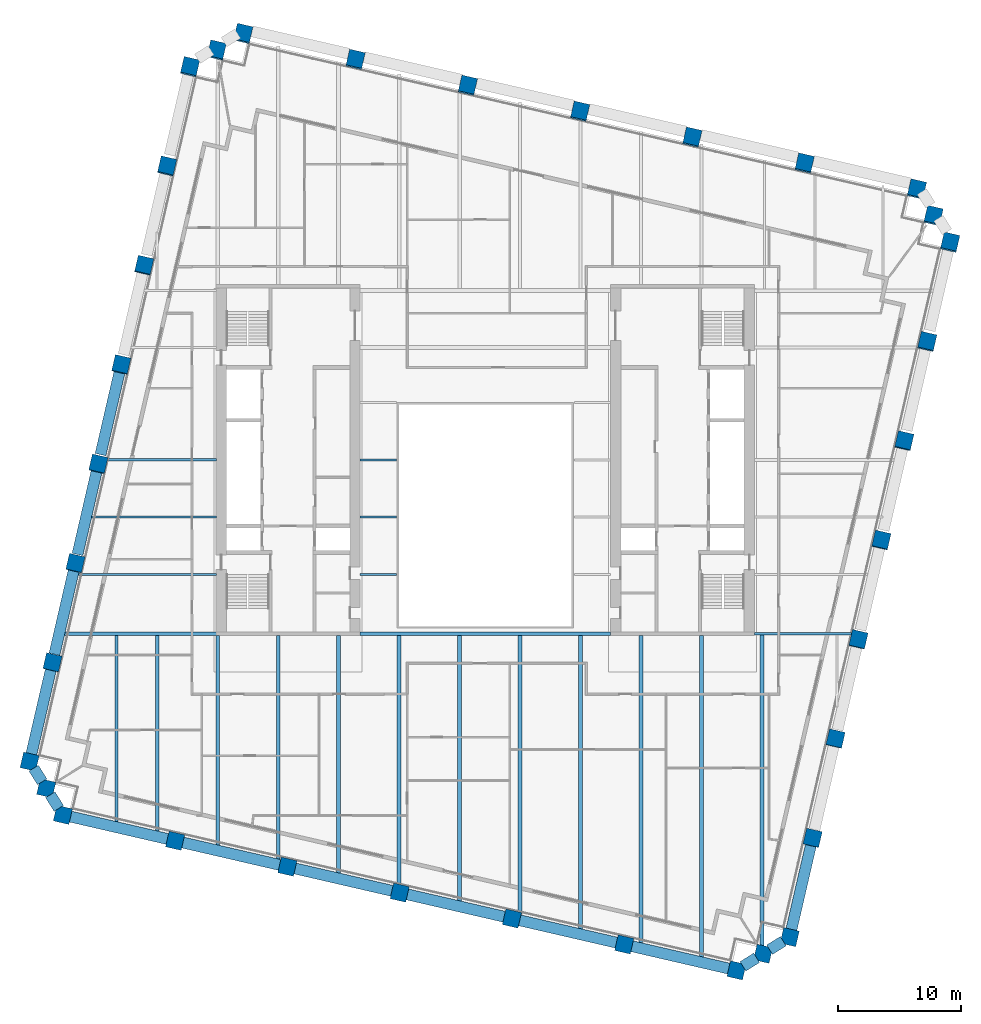
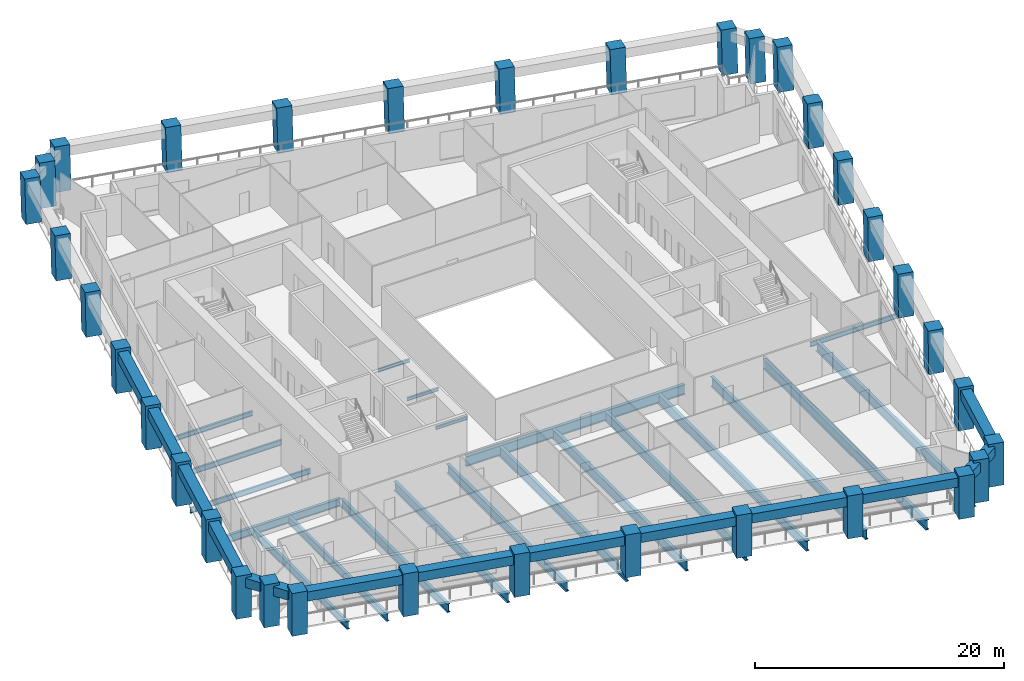
# One storey, part 1 of 11: 36 beams, 34 columns.
"""IFC4 building model written with IfcOpenShell, lengths in metres."""

from ifc_helpers import new_model, si_unit, direction, frame, origin, origin_2d, place, context, subcontext, project, spatial, rectangle, i_section, extrude, material, material_profile, profile_set, type_object, element, save


model = new_model("IFC4")

# Units and contexts
model_context = context("Model", 3, precision=1e-05, world=origin(), true_north=direction((0.0, 1.0)))
body_context = subcontext(model_context, "Body", "Model", "MODEL_VIEW")
ifc_project = project(units=[si_unit("LENGTHUNIT", "METRE"), si_unit("AREAUNIT", "SQUARE_METRE"), si_unit("VOLUMEUNIT", "CUBIC_METRE"), si_unit("PLANEANGLEUNIT", "RADIAN"), si_unit("MASSUNIT", "GRAM", prefix="KILO")], contexts=[model_context])

# Site, building, storey
site_placement = place(None, origin())
site = spatial("IfcSite", under=ifc_project, at=site_placement, CompositionType="ELEMENT")
building_placement = place(site_placement, origin())
building = spatial("IfcBuilding", under=site, at=building_placement, Name="Ogive Exchange Tower", CompositionType="ELEMENT")
storey_placement = place(building_placement, frame((0.0, 0.0, 135.0)))
storey = spatial("IfcBuildingStorey", under=building, at=storey_placement, Name="L29", CompositionType="ELEMENT", Elevation=135.0)

# Columns
ifc_material_1 = material(Name="Precast concrete C70/85 (limestone faced)", Category="masonry")
ifc_material_profile_1 = material_profile(ifc_material_1, rectangle(XDim=1.300048828125, YDim=1.300048828125, at=origin_2d()), Name="1300 x 1300")
ifc_profile_set_1 = profile_set([ifc_material_profile_1], Name="Precast concrete C70/85 (limestone faced)")
column_type = type_object("IfcColumnType", Name="Precast exoskeleton leg 1300 x 1300 C70/85", PredefinedType="COLUMN", material=ifc_profile_set_1)
for number, where, z_axis, x_axis, name in (
    (1, (-34.281982421875, -17.298095703125, 0.0), (0.0, 0.0, 1.0), (0.974370064785, -0.224951054344, 0.0), "Exoskeleton leg 1"),
    (2, (-25.171630859375, -19.401611328125, 0.0), (0.0, 0.0, 1.0), (0.974370064785, -0.224951054344, 0.0), "Exoskeleton leg 2"),
    (3, (-16.061279296875, -21.504638671875, 0.0), (0.0, 0.0, 1.0), (0.974370064785, -0.224951054344, 0.0), "Exoskeleton leg 3"),
    (4, (-6.950927734375, -23.60791015625, 0.0), (0.0, 0.0, 1.0), (0.974370064785, -0.224951054344, 0.0), "Exoskeleton leg 4"),
    (5, (2.159423828125, -25.711181640625, 0.0), (0.0, 0.0, 1.0), (0.974370064785, -0.224951054344, 0.0), "Exoskeleton leg 5"),
    (6, (11.269775390625, -27.814697265625, 0.0), (0.0, 0.0, 1.0), (0.974370064785, -0.224951054344, 0.0), "Exoskeleton leg 6"),
    (7, (20.380126953125, -29.91796875, 0.0), (0.0, 0.0, 1.0), (0.974370064785, -0.224951054344, 0.0), "Exoskeleton leg 7"),
    (8, (24.697509765625, -27.219970703125, 0.0), (0.0, 0.0, 1.0), (0.974370064785, -0.224951054344, 0.0), "Exoskeleton leg 8"),
):
    element("IfcColumn", number, at=place(storey_placement, frame(where, z_axis=z_axis, x_axis=x_axis)), inside=storey, type_object=column_type, Name=name, PredefinedType="COLUMN", context=body_context, shape_type="SweptSolid", body=[
        extrude(rectangle(XDim=1.300048828125, YDim=1.300048828125, at=origin_2d()), origin(), (0.0, 0.0, 1.0), 4.199951171875),
    ])
column_1_placement = place(storey_placement, frame((26.5556640625, -19.172119140625, 0.0), z_axis=(0.002964348167, 0.012671135303, 0.9999153239), x_axis=(-0.973709261374, 0.227794368487, 0.0)))
element("IfcColumn", 9, at=column_1_placement, inside=storey, type_object=column_type, Name="Exoskeleton leg 9", PredefinedType="COLUMN", context=body_context, shape_type="SweptSolid", body=[
    extrude(rectangle(XDim=1.300048828125, YDim=1.300048828125, at=origin_2d()), origin(), (0.0, 0.0, 1.0), 4.2001953125),
])
column_2_placement = place(storey_placement, frame((28.413818359375, -11.123779296875, 0.0), z_axis=(0.005810983994, 0.025277780376, 0.999663576552), x_axis=(-0.974579651079, 0.224041299099, 0.0)))
element("IfcColumn", 10, at=column_2_placement, inside=storey, type_object=column_type, Name="Exoskeleton leg 10", PredefinedType="COLUMN", context=body_context, shape_type="SweptSolid", body=[
    extrude(rectangle(XDim=1.300048828125, YDim=1.300048828125, at=origin_2d()), origin(), (0.0, 0.0, 1.0), 4.201416015625),
])
column_3_placement = place(storey_placement, frame((30.271728515625, -3.075927734375, 0.0), z_axis=(0.008770884695, 0.037929719907, 0.99924191662), x_axis=(-0.974290512438, 0.225295355862, 0.0)))
element("IfcColumn", 11, at=column_3_placement, inside=storey, type_object=column_type, Name="Exoskeleton leg 11", PredefinedType="COLUMN", context=body_context, shape_type="SweptSolid", body=[
    extrude(rectangle(XDim=1.300048828125, YDim=1.300048828125, at=origin_2d()), origin(), (0.0, 0.0, 1.0), 4.203125),
])
column_4_placement = place(storey_placement, frame((32.1298828125, 4.97216796875, 0.0), z_axis=(0.011668267153, 0.050562490995, 0.998652735462), x_axis=(-0.974391195695, 0.224859506699, 0.0)))
element("IfcColumn", 12, at=column_4_placement, inside=storey, type_object=column_type, Name="Exoskeleton leg 12", PredefinedType="COLUMN", context=body_context, shape_type="SweptSolid", body=[
    extrude(rectangle(XDim=1.300048828125, YDim=1.300048828125, at=origin_2d()), origin(), (0.0, 0.0, 1.0), 4.20556640625),
])
column_5_placement = place(storey_placement, frame((33.98779296875, 13.020263671875, 0.0), z_axis=(0.014617836866, 0.063111930596, 0.997899395261), x_axis=(-0.974209784844, 0.225644178107, 0.0)))
element("IfcColumn", 13, at=column_5_placement, inside=storey, type_object=column_type, Name="Exoskeleton leg 13", PredefinedType="COLUMN", context=body_context, shape_type="SweptSolid", body=[
    extrude(rectangle(XDim=1.300048828125, YDim=1.300048828125, at=origin_2d()), origin(), (0.0, 0.0, 1.0), 4.208740234375),
])
column_6_placement = place(storey_placement, frame((35.845947265625, 21.068359375, 0.0), z_axis=(0.017444089556, 0.075687644385, 0.996978978829), x_axis=(-0.974454034257, 0.224587032398, 0.0)))
element("IfcColumn", 14, at=column_6_placement, inside=storey, type_object=column_type, Name="Exoskeleton leg 14", PredefinedType="COLUMN", context=body_context, shape_type="SweptSolid", body=[
    extrude(rectangle(XDim=1.300048828125, YDim=1.300048828125, at=origin_2d()), origin(), (0.0, 0.0, 1.0), 4.212646484375),
])
for number, where, z_axis, x_axis, name in (
    (15, (37.703857421875, 29.1162109375, 0.0), (0.020377493232, 0.0882252832, 0.995892091129), (-0.97434807649, 0.225046274885, 0.0), "Exoskeleton leg 15"),
    (16, (35.006103515625, 33.433837890625, 0.0), (0.020319626563, 0.088225387128, 0.995893264282), (-0.974488096918, 0.224439187676, 0.0), "Exoskeleton leg 16"),
    (17, (25.8955078125, 35.537109375, 0.0), (0.020377493232, 0.0882252832, 0.995892091129), (-0.97434807649, 0.225046274885, 0.0), "Exoskeleton leg 17"),
    (18, (16.785400390625, 37.640380859375, 0.0), (0.020319626563, 0.088225387128, 0.995893264282), (-0.974488096918, 0.224439187676, 0.0), "Exoskeleton leg 18"),
    (19, (7.6748046875, 39.74365234375, 0.0), (0.020377493232, 0.0882252832, 0.995892091129), (-0.97434807649, 0.225046274885, 0.0), "Exoskeleton leg 19"),
    (20, (-1.435302734375, 41.846923828125, 0.0), (0.020319626563, 0.088225387128, 0.995893264282), (-0.974488096918, 0.224439187676, 0.0), "Exoskeleton leg 20"),
    (21, (-10.5458984375, 43.9501953125, 0.0), (0.020377389123, 0.088282722762, 0.995887003065), (-0.97438042596, 0.224906170451, 0.0), "Exoskeleton leg 21"),
    (22, (-19.65625, 46.0537109375, 0.0), (0.020377597275, 0.088167842757, 0.995897175934), (-0.97431566651, 0.225186549318, 0.0), "Exoskeleton leg 22"),
    (23, (-23.9736328125, 43.355712890625, 0.0), (0.020377493232, 0.0882252832, 0.995892091129), (-0.97434807649, 0.225046274885, 0.0), "Exoskeleton leg 23"),
):
    element("IfcColumn", number, at=place(storey_placement, frame(where, z_axis=z_axis, x_axis=x_axis)), inside=storey, type_object=column_type, Name=name, PredefinedType="COLUMN", context=body_context, shape_type="SweptSolid", body=[
        extrude(rectangle(XDim=1.300048828125, YDim=1.300048828125, at=origin_2d()), origin(), (0.0, 0.0, 1.0), 4.21728515625),
    ])
column_7_placement = place(storey_placement, frame((-25.831787109375, 35.3076171875, 0.0), z_axis=(0.017502025619, 0.075687567741, 0.996977969259), x_axis=(-0.974290512438, 0.225295355862, 0.0)))
element("IfcColumn", 24, at=column_7_placement, inside=storey, type_object=column_type, Name="Exoskeleton leg 24", PredefinedType="COLUMN", context=body_context, shape_type="SweptSolid", body=[
    extrude(rectangle(XDim=1.300048828125, YDim=1.300048828125, at=origin_2d()), origin(), (0.0, 0.0, 1.0), 4.212646484375),
])
column_8_placement = place(storey_placement, frame((-27.689697265625, 27.259521484375, 0.0), z_axis=(0.014559788571, 0.063169759976, 0.997896584813), x_axis=(-0.97445148511, 0.224598092528, 0.0)))
element("IfcColumn", 25, at=column_8_placement, inside=storey, type_object=column_type, Name="Exoskeleton leg 25", PredefinedType="COLUMN", context=body_context, shape_type="SweptSolid", body=[
    extrude(rectangle(XDim=1.300048828125, YDim=1.300048828125, at=origin_2d()), origin(), (0.0, 0.0, 1.0), 4.208740234375),
])
column_9_placement = place(storey_placement, frame((-29.5478515625, 19.211669921875, 0.0), z_axis=(0.011668267153, 0.050562490995, 0.998652735462), x_axis=(-0.974391195695, 0.224859506699, 0.0)))
element("IfcColumn", 26, at=column_9_placement, inside=storey, type_object=column_type, Name="Exoskeleton leg 26", PredefinedType="COLUMN", context=body_context, shape_type="SweptSolid", body=[
    extrude(rectangle(XDim=1.300048828125, YDim=1.300048828125, at=origin_2d()), origin(), (0.0, 0.0, 1.0), 4.20556640625),
])
column_10_placement = place(storey_placement, frame((-31.406005859375, 11.16357421875, 0.0), z_axis=(0.008770884695, 0.037929719907, 0.99924191662), x_axis=(-0.974290512438, 0.225295355862, 0.0)))
element("IfcColumn", 27, at=column_10_placement, inside=storey, type_object=column_type, Name="Exoskeleton leg 27", PredefinedType="COLUMN", context=body_context, shape_type="SweptSolid", body=[
    extrude(rectangle(XDim=1.300048828125, YDim=1.300048828125, at=origin_2d()), origin(), (0.0, 0.0, 1.0), 4.203125),
])
column_11_placement = place(storey_placement, frame((-33.263916015625, 3.115478515625, 0.0), z_axis=(0.005810983994, 0.025277780376, 0.999663576552), x_axis=(-0.974579651079, 0.224041299099, 0.0)))
element("IfcColumn", 28, at=column_11_placement, inside=storey, type_object=column_type, Name="Exoskeleton leg 28", PredefinedType="COLUMN", context=body_context, shape_type="SweptSolid", body=[
    extrude(rectangle(XDim=1.300048828125, YDim=1.300048828125, at=origin_2d()), origin(), (0.0, 0.0, 1.0), 4.201416015625),
])
column_12_placement = place(storey_placement, frame((-35.121826171875, -4.9326171875, 0.0), z_axis=(0.002906224189, 0.012671137464, 0.999915494498), x_axis=(-0.974691740237, 0.22355315143, 0.0)))
element("IfcColumn", 29, at=column_12_placement, inside=storey, type_object=column_type, Name="Exoskeleton leg 29", PredefinedType="COLUMN", context=body_context, shape_type="SweptSolid", body=[
    extrude(rectangle(XDim=1.300048828125, YDim=1.300048828125, at=origin_2d()), origin(), (0.0, 0.0, 1.0), 4.2001953125),
])
for number, where, z_axis, x_axis, name in (
    (30, (-36.97998046875, -12.980712890625, 0.0), (0.0, 0.0, 1.0), (0.974370064785, -0.224951054344, 0.0), "Exoskeleton leg 30"),
    (31, (22.538818359375, -28.569091796875, 0.0), (0.0, 0.0, 1.0), (0.974370064785, -0.224951054344, 0.0), "Exoskeleton leg 31"),
):
    element("IfcColumn", number, at=place(storey_placement, frame(where, z_axis=z_axis, x_axis=x_axis)), inside=storey, type_object=column_type, Name=name, PredefinedType="COLUMN", context=body_context, shape_type="SweptSolid", body=[
        extrude(rectangle(XDim=1.300048828125, YDim=1.300048828125, at=origin_2d()), origin(), (0.0, 0.0, 1.0), 4.199951171875),
    ])
for number, where, z_axis, x_axis, name in (
    (32, (36.35498046875, 31.275146484375, 0.0), (0.020377493232, 0.0882252832, 0.995892091129), (-0.97434807649, 0.225046274885, 0.0), "Exoskeleton leg 32"),
    (33, (-21.81494140625, 44.70458984375, 0.0), (0.020377493232, 0.0882252832, 0.995892091129), (-0.97434807649, 0.225046274885, 0.0), "Exoskeleton leg 33"),
):
    element("IfcColumn", number, at=place(storey_placement, frame(where, z_axis=z_axis, x_axis=x_axis)), inside=storey, type_object=column_type, Name=name, PredefinedType="COLUMN", context=body_context, shape_type="SweptSolid", body=[
        extrude(rectangle(XDim=1.300048828125, YDim=1.300048828125, at=origin_2d()), origin(), (0.0, 0.0, 1.0), 4.21728515625),
    ])
column_13_placement = place(storey_placement, frame((-35.631103515625, -15.139404296875, 0.0), z_axis=(0.0, 0.0, 1.0), x_axis=(0.974370064785, -0.224951054344, 0.0)))
element("IfcColumn", 34, at=column_13_placement, inside=storey, type_object=column_type, Name="Exoskeleton leg 34", PredefinedType="COLUMN", context=body_context, shape_type="SweptSolid", body=[
    extrude(rectangle(XDim=1.300048828125, YDim=1.300048828125, at=origin_2d()), origin(), (0.0, 0.0, 1.0), 4.199951171875),
])

# Beams
ifc_material_2 = material(Name="Steel ASTM A992 Gr50", Category="steel")
ifc_material_profile_2 = material_profile(ifc_material_2, i_section(OverallWidth=0.300048828125, OverallDepth=0.97998046875, WebThickness=0.0166015625, FlangeThickness=0.026123046875, at=origin_2d()), Name="W1000x249")
ifc_profile_set_2 = profile_set([ifc_material_profile_2], Name="Steel ASTM A992 Gr50")
beam_type_1 = type_object("IfcBeamType", Name="Floor beam W1000x249", PredefinedType="JOIST", material=ifc_profile_set_2)
beam_1_placement = place(storey_placement, frame((-6.99853515625, -23.13525390625, -0.68994140625), z_axis=(0.0, 1.0, 0.0), x_axis=(-1.0, 0.0, 0.0)))
element("IfcBeam", 35, at=beam_1_placement, inside=storey, type_object=beam_type_1, Name="Floor beam", PredefinedType="JOIST", context=body_context, shape_type="SweptSolid", body=[
    extrude(i_section(OverallWidth=0.300048828125, OverallDepth=0.97998046875, WebThickness=0.0166015625, FlangeThickness=0.026123046875, at=origin_2d()), origin(), (0.0, 0.0, 1.0), 20.39013671875),
])
beam_2_placement = place(storey_placement, frame((-2.091552734375, -24.26806640625, -0.68994140625), z_axis=(0.0, 1.0, 0.0), x_axis=(-1.0, 0.0, 0.0)))
element("IfcBeam", 36, at=beam_2_placement, inside=storey, type_object=beam_type_1, Name="Floor beam", PredefinedType="JOIST", context=body_context, shape_type="SweptSolid", body=[
    extrude(i_section(OverallWidth=0.300048828125, OverallDepth=0.97998046875, WebThickness=0.0166015625, FlangeThickness=0.026123046875, at=origin_2d()), origin(), (0.0, 0.0, 1.0), 21.52294921875),
])
beam_3_placement = place(storey_placement, frame((2.8154296875, -25.40087890625, -0.68994140625), z_axis=(0.0, 1.0, 0.0), x_axis=(-1.0, 0.0, 0.0)))
element("IfcBeam", 37, at=beam_3_placement, inside=storey, type_object=beam_type_1, Name="Floor beam", PredefinedType="JOIST", context=body_context, shape_type="SweptSolid", body=[
    extrude(i_section(OverallWidth=0.300048828125, OverallDepth=0.97998046875, WebThickness=0.0166015625, FlangeThickness=0.026123046875, at=origin_2d()), origin(), (0.0, 0.0, 1.0), 22.65576171875),
])
beam_4_placement = place(storey_placement, frame((7.722412109375, -26.683837890625, -0.68994140625), z_axis=(0.0, 1.0, 0.0), x_axis=(-1.0, 0.0, 0.0)))
element("IfcBeam", 38, at=beam_4_placement, inside=storey, type_object=beam_type_1, Name="Floor beam", PredefinedType="JOIST", context=body_context, shape_type="SweptSolid", body=[
    extrude(i_section(OverallWidth=0.300048828125, OverallDepth=0.97998046875, WebThickness=0.0166015625, FlangeThickness=0.026123046875, at=origin_2d()), origin(), (0.0, 0.0, 1.0), 23.938720703125),
])
beam_5_placement = place(storey_placement, frame((12.62939453125, -27.666748046875, -0.68994140625), z_axis=(0.0, 1.0, 0.0), x_axis=(-1.0, 0.0, 0.0)))
element("IfcBeam", 39, at=beam_5_placement, inside=storey, type_object=beam_type_1, Name="Floor beam", PredefinedType="JOIST", context=body_context, shape_type="SweptSolid", body=[
    extrude(i_section(OverallWidth=0.300048828125, OverallDepth=0.97998046875, WebThickness=0.0166015625, FlangeThickness=0.026123046875, at=origin_2d()), origin(), (0.0, 0.0, 1.0), 24.916748046875),
])
beam_6_placement = place(storey_placement, frame((17.536376953125, -28.949462890625, -0.68994140625), z_axis=(0.0, 1.0, 0.0), x_axis=(-1.0, 0.0, 0.0)))
element("IfcBeam", 40, at=beam_6_placement, inside=storey, type_object=beam_type_1, Name="Floor beam", PredefinedType="JOIST", context=body_context, shape_type="SweptSolid", body=[
    extrude(i_section(OverallWidth=0.300048828125, OverallDepth=0.97998046875, WebThickness=0.0166015625, FlangeThickness=0.026123046875, at=origin_2d()), origin(), (0.0, 0.0, 1.0), 26.199462890625),
])
beam_7_placement = place(storey_placement, frame((22.443359375, -28.02978515625, -0.68994140625), z_axis=(0.0, 1.0, 0.0), x_axis=(-1.0, 0.0, 0.0)))
element("IfcBeam", 41, at=beam_7_placement, inside=storey, type_object=beam_type_1, Name="Floor beam", PredefinedType="JOIST", context=body_context, shape_type="SweptSolid", body=[
    extrude(i_section(OverallWidth=0.300048828125, OverallDepth=0.97998046875, WebThickness=0.0166015625, FlangeThickness=0.026123046875, at=origin_2d()), origin(), (0.0, 0.0, 1.0), 25.33935546875),
])
ifc_material_profile_3 = material_profile(ifc_material_2, i_section(OverallWidth=0.1650390625, OverallDepth=0.31005859375, WebThickness=0.005859375, FlangeThickness=0.009765625, at=origin_2d()), Name="W310x38.7")
ifc_profile_set_3 = profile_set([ifc_material_profile_3], Name="Steel ASTM A992 Gr50")
beam_type_2 = type_object("IfcBeamType", Name="Floor beam W310x38.7", PredefinedType="JOIST", material=ifc_profile_set_3)
for number, where, z_axis, x_axis, name in (
    (42, (-10.169921875, 2.208740234375, -0.35498046875), (1.0, 0.0, 0.0), (0.0, 1.0, 0.0), "Floor beam"),
    (43, (-10.169921875, 6.857421875, -0.35498046875), (1.0, 0.0, 0.0), (0.0, 1.0, 0.0), "Floor beam"),
    (44, (-10.169921875, 11.50634765625, -0.35498046875), (1.0, 0.0, 0.0), (0.0, 1.0, 0.0), "Floor beam"),
):
    element("IfcBeam", number, at=place(storey_placement, frame(where, z_axis=z_axis, x_axis=x_axis)), inside=storey, type_object=beam_type_2, Name=name, PredefinedType="JOIST", context=body_context, shape_type="SweptSolid", body=[
        extrude(i_section(OverallWidth=0.1650390625, OverallDepth=0.31005859375, WebThickness=0.005859375, FlangeThickness=0.009765625, at=origin_2d()), origin(), (0.0, 0.0, 1.0), 2.949951171875),
    ])
ifc_material_profile_4 = material_profile(ifc_material_2, i_section(OverallWidth=0.19091796875, OverallDepth=0.45703125, WebThickness=0.009033203125, FlangeThickness=0.014404296875, at=origin_2d()), Name="W460x74")
ifc_profile_set_4 = profile_set([ifc_material_profile_4], Name="Steel ASTM A992 Gr50")
beam_type_3 = type_object("IfcBeamType", Name="Floor beam W460x74", PredefinedType="JOIST", material=ifc_profile_set_4)
beam_8_placement = place(storey_placement, frame((-30.864990234375, 11.50634765625, -0.428466796875), z_axis=(1.0, 0.0, 0.0), x_axis=(0.0, 1.0, 0.0)))
element("IfcBeam", 45, at=beam_8_placement, inside=storey, type_object=beam_type_3, Name="Floor beam", PredefinedType="JOIST", context=body_context, shape_type="SweptSolid", body=[
    extrude(i_section(OverallWidth=0.19091796875, OverallDepth=0.45703125, WebThickness=0.009033203125, FlangeThickness=0.014404296875, at=origin_2d()), origin(), (0.0, 0.0, 1.0), 9.034912109375),
])
ifc_material_profile_5 = material_profile(ifc_material_2, i_section(OverallWidth=0.1669921875, OverallDepth=0.535888671875, WebThickness=0.01025390625, FlangeThickness=0.0166015625, at=origin_2d()), Name="W530x85")
ifc_profile_set_5 = profile_set([ifc_material_profile_5], Name="Steel ASTM A992 Gr50")
beam_type_4 = type_object("IfcBeamType", Name="Floor beam W530x85", PredefinedType="JOIST", material=ifc_profile_set_5)
beam_9_placement = place(storey_placement, frame((-33.011474609375, 2.208740234375, -0.468017578125), z_axis=(1.0, 0.0, 0.0), x_axis=(0.0, 1.0, 0.0)))
element("IfcBeam", 46, at=beam_9_placement, inside=storey, type_object=beam_type_4, Name="Floor beam", PredefinedType="JOIST", context=body_context, shape_type="SweptSolid", body=[
    extrude(i_section(OverallWidth=0.1669921875, OverallDepth=0.535888671875, WebThickness=0.01025390625, FlangeThickness=0.0166015625, at=origin_2d()), origin(), (0.0, 0.0, 1.0), 11.181396484375),
])
beam_10_placement = place(storey_placement, frame((-31.938232421875, 6.857421875, -0.468017578125), z_axis=(1.0, 0.0, 0.0), x_axis=(0.0, 1.0, 0.0)))
element("IfcBeam", 47, at=beam_10_placement, inside=storey, type_object=beam_type_4, Name="Floor beam", PredefinedType="JOIST", context=body_context, shape_type="SweptSolid", body=[
    extrude(i_section(OverallWidth=0.1669921875, OverallDepth=0.535888671875, WebThickness=0.01025390625, FlangeThickness=0.0166015625, at=origin_2d()), origin(), (0.0, 0.0, 1.0), 10.108154296875),
])
ifc_material_profile_6 = material_profile(ifc_material_2, i_section(OverallWidth=0.26708984375, OverallDepth=0.75390625, WebThickness=0.01318359375, FlangeThickness=0.01708984375, at=origin_2d()), Name="W760x147")
ifc_profile_set_6 = profile_set([ifc_material_profile_6], Name="Steel ASTM A992 Gr50")
beam_type_5 = type_object("IfcBeamType", Name="Floor beam W760x147", PredefinedType="JOIST", material=ifc_profile_set_6)
beam_11_placement = place(storey_placement, frame((-29.933349609375, -17.990234375, -0.576904296875), z_axis=(0.0, 1.0, 0.0), x_axis=(-1.0, 0.0, 0.0)))
element("IfcBeam", 48, at=beam_11_placement, inside=storey, type_object=beam_type_5, Name="Floor beam", PredefinedType="JOIST", context=body_context, shape_type="SweptSolid", body=[
    extrude(i_section(OverallWidth=0.26708984375, OverallDepth=0.75390625, WebThickness=0.01318359375, FlangeThickness=0.01708984375, at=origin_2d()), origin(), (0.0, 0.0, 1.0), 15.26171875),
])
ifc_material_profile_7 = material_profile(ifc_material_2, i_section(OverallWidth=0.26708984375, OverallDepth=0.761962890625, WebThickness=0.014404296875, FlangeThickness=0.021484375, at=origin_2d()), Name="W760x173")
ifc_profile_set_7 = profile_set([ifc_material_profile_7], Name="Steel ASTM A992 Gr50")
beam_type_6 = type_object("IfcBeamType", Name="Floor beam W760x173", PredefinedType="JOIST", material=ifc_profile_set_7)
beam_12_placement = place(storey_placement, frame((-26.626220703125, -18.603759765625, -0.5810546875), z_axis=(0.0, 1.0, 0.0), x_axis=(-1.0, 0.0, 0.0)))
element("IfcBeam", 49, at=beam_12_placement, inside=storey, type_object=beam_type_6, Name="Floor beam", PredefinedType="JOIST", context=body_context, shape_type="SweptSolid", body=[
    extrude(i_section(OverallWidth=0.26708984375, OverallDepth=0.761962890625, WebThickness=0.014404296875, FlangeThickness=0.021484375, at=origin_2d()), origin(), (0.0, 0.0, 1.0), 15.875244140625),
])
ifc_material_profile_8 = material_profile(ifc_material_2, i_section(OverallWidth=0.2919921875, OverallDepth=0.8359375, WebThickness=0.013916015625, FlangeThickness=0.018798828125, at=origin_2d()), Name="W840x176")
ifc_profile_set_8 = profile_set([ifc_material_profile_8], Name="Steel ASTM A992 Gr50")
beam_type_7 = type_object("IfcBeamType", Name="Floor beam W840x176", PredefinedType="JOIST", material=ifc_profile_set_8)
beam_13_placement = place(storey_placement, frame((-21.719482421875, -19.88671875, -0.617919921875), z_axis=(0.0, 1.0, 0.0), x_axis=(-1.0, 0.0, 0.0)))
element("IfcBeam", 50, at=beam_13_placement, inside=storey, type_object=beam_type_7, Name="Floor beam", PredefinedType="JOIST", context=body_context, shape_type="SweptSolid", body=[
    extrude(i_section(OverallWidth=0.2919921875, OverallDepth=0.8359375, WebThickness=0.013916015625, FlangeThickness=0.018798828125, at=origin_2d()), origin(), (0.0, 0.0, 1.0), 17.13671875),
])
ifc_material_profile_9 = material_profile(ifc_material_2, i_section(OverallWidth=0.304931640625, OverallDepth=0.904052734375, WebThickness=0.01513671875, FlangeThickness=0.02001953125, at=origin_2d()), Name="W920x201")
ifc_profile_set_9 = profile_set([ifc_material_profile_9], Name="Steel ASTM A992 Gr50")
beam_type_8 = type_object("IfcBeamType", Name="Floor beam W920x201", PredefinedType="JOIST", material=ifc_profile_set_9)
beam_14_placement = place(storey_placement, frame((-16.8125, -21.01953125, -0.652099609375), z_axis=(0.0, 1.0, 0.0), x_axis=(-1.0, 0.0, 0.0)))
element("IfcBeam", 51, at=beam_14_placement, inside=storey, type_object=beam_type_8, Name="Floor beam", PredefinedType="JOIST", context=body_context, shape_type="SweptSolid", body=[
    extrude(i_section(OverallWidth=0.304931640625, OverallDepth=0.904052734375, WebThickness=0.01513671875, FlangeThickness=0.02001953125, at=origin_2d()), origin(), (0.0, 0.0, 1.0), 18.26953125),
])
ifc_material_profile_10 = material_profile(ifc_material_2, i_section(OverallWidth=0.304931640625, OverallDepth=0.9189453125, WebThickness=0.017333984375, FlangeThickness=0.02783203125, at=origin_2d()), Name="W920x253")
ifc_profile_set_10 = profile_set([ifc_material_profile_10], Name="Steel ASTM A992 Gr50")
beam_type_9 = type_object("IfcBeamType", Name="Floor beam W920x253", PredefinedType="JOIST", material=ifc_profile_set_10)
beam_15_placement = place(storey_placement, frame((-11.905517578125, -22.00244140625, -0.659423828125), z_axis=(0.0, 1.0, 0.0), x_axis=(-1.0, 0.0, 0.0)))
element("IfcBeam", 52, at=beam_15_placement, inside=storey, type_object=beam_type_9, Name="Floor beam", PredefinedType="JOIST", context=body_context, shape_type="SweptSolid", body=[
    extrude(i_section(OverallWidth=0.304931640625, OverallDepth=0.9189453125, WebThickness=0.017333984375, FlangeThickness=0.02783203125, at=origin_2d()), origin(), (0.0, 0.0, 1.0), 19.25244140625),
])
ifc_material_profile_11 = material_profile(ifc_material_2, i_section(OverallWidth=0.300048828125, OverallDepth=0.97998046875, WebThickness=0.0166015625, FlangeThickness=0.026123046875, at=origin_2d()), Name="W1000x249")
ifc_profile_set_11 = profile_set([ifc_material_profile_11], Name="Steel ASTM A992 Gr50")
beam_type_10 = type_object("IfcBeamType", Name="Girder W1000x249", PredefinedType="BEAM", material=ifc_profile_set_11)
beam_16_placement = place(storey_placement, frame((-10.169921875, -2.594970703125, -0.68994140625), z_axis=(1.0, 0.0, 0.0), x_axis=(0.0, 1.0, 0.0)))
element("IfcBeam", 53, at=beam_16_placement, inside=storey, type_object=beam_type_10, Name="Header girder", PredefinedType="BEAM", context=body_context, shape_type="SweptSolid", body=[
    extrude(i_section(OverallWidth=0.300048828125, OverallDepth=0.97998046875, WebThickness=0.0166015625, FlangeThickness=0.026123046875, at=origin_2d()), origin(), (0.0, 0.0, 1.0), 20.33984375),
])
ifc_material_profile_12 = material_profile(ifc_material_2, i_section(OverallWidth=0.19091796875, OverallDepth=0.45703125, WebThickness=0.009033203125, FlangeThickness=0.014404296875, at=origin_2d()), Name="W460x74")
ifc_profile_set_12 = profile_set([ifc_material_profile_12], Name="Steel ASTM A992 Gr50")
beam_type_11 = type_object("IfcBeamType", Name="Girder W460x74", PredefinedType="BEAM", material=ifc_profile_set_12)
beam_17_placement = place(storey_placement, frame((21.830078125, -2.594970703125, -0.428466796875), z_axis=(1.0, 0.0, 0.0), x_axis=(0.0, 1.0, 0.0)))
element("IfcBeam", 54, at=beam_17_placement, inside=storey, type_object=beam_type_11, Name="Header girder", PredefinedType="BEAM", context=body_context, shape_type="SweptSolid", body=[
    extrude(i_section(OverallWidth=0.19091796875, OverallDepth=0.45703125, WebThickness=0.009033203125, FlangeThickness=0.014404296875, at=origin_2d()), origin(), (0.0, 0.0, 1.0), 8.0908203125),
])
ifc_material_profile_13 = material_profile(ifc_material_2, i_section(OverallWidth=0.26708984375, OverallDepth=0.75390625, WebThickness=0.01318359375, FlangeThickness=0.01708984375, at=origin_2d()), Name="W760x147")
ifc_profile_set_13 = profile_set([ifc_material_profile_13], Name="Steel ASTM A992 Gr50")
beam_type_12 = type_object("IfcBeamType", Name="Girder W760x147", PredefinedType="BEAM", material=ifc_profile_set_13)
beam_18_placement = place(storey_placement, frame((-34.2705078125, -2.594970703125, -0.576904296875), z_axis=(1.0, 0.0, 0.0), x_axis=(0.0, 1.0, 0.0)))
element("IfcBeam", 55, at=beam_18_placement, inside=storey, type_object=beam_type_12, Name="Header girder", PredefinedType="BEAM", context=body_context, shape_type="SweptSolid", body=[
    extrude(i_section(OverallWidth=0.26708984375, OverallDepth=0.75390625, WebThickness=0.01318359375, FlangeThickness=0.01708984375, at=origin_2d()), origin(), (0.0, 0.0, 1.0), 12.4404296875),
])
ifc_material_profile_14 = material_profile(ifc_material_1, rectangle(XDim=0.89990234375, YDim=0.89990234375, at=origin_2d()), Name="900 x 900")
ifc_profile_set_14 = profile_set([ifc_material_profile_14], Name="Precast concrete C70/85 (limestone faced)")
beam_type_13 = type_object("IfcBeamType", Name="Precast spandrel 900 x 900 C70/85", PredefinedType="SPANDREL", material=ifc_profile_set_14)
for number, where, z_axis, x_axis, name in (
    (56, (-33.668212890625, -17.43994140625, 3.5), (0.974370337884, -0.224949871421, 0.0), (0.224949871421, 0.974370337884, 0.0), "Spandrel 1"),
    (57, (-24.557861328125, -19.543212890625, 3.5), (0.974370337884, -0.224949871421, 0.0), (0.224949871421, 0.974370337884, 0.0), "Spandrel 2"),
):
    element("IfcBeam", number, at=place(storey_placement, frame(where, z_axis=z_axis, x_axis=x_axis)), inside=storey, type_object=beam_type_13, Name=name, PredefinedType="SPANDREL", context=body_context, shape_type="SweptSolid", body=[
        extrude(rectangle(XDim=0.89990234375, YDim=0.89990234375, at=origin_2d()), origin(), (0.0, 0.0, 1.0), 8.08984375),
    ])
beam_19_placement = place(storey_placement, frame((-15.447509765625, -21.646484375, 3.5), z_axis=(0.974371864918, -0.224943256972, 0.0), x_axis=(0.224943256972, 0.974371864918, 0.0)))
element("IfcBeam", 58, at=beam_19_placement, inside=storey, type_object=beam_type_13, Name="Spandrel 3", PredefinedType="SPANDREL", context=body_context, shape_type="SweptSolid", body=[
    extrude(rectangle(XDim=0.89990234375, YDim=0.89990234375, at=origin_2d()), origin(), (0.0, 0.0, 1.0), 8.090087890625),
])
beam_20_placement = place(storey_placement, frame((-6.337158203125, -23.749755859375, 3.5), z_axis=(0.974370337884, -0.224949871421, 0.0), x_axis=(0.224949871421, 0.974370337884, 0.0)))
element("IfcBeam", 59, at=beam_20_placement, inside=storey, type_object=beam_type_13, Name="Spandrel 4", PredefinedType="SPANDREL", context=body_context, shape_type="SweptSolid", body=[
    extrude(rectangle(XDim=0.89990234375, YDim=0.89990234375, at=origin_2d()), origin(), (0.0, 0.0, 1.0), 8.08984375),
])
beam_21_placement = place(storey_placement, frame((2.773193359375, -25.85302734375, 3.5), z_axis=(0.974371864918, -0.224943256972, 0.0), x_axis=(0.224943256972, 0.974371864918, 0.0)))
element("IfcBeam", 60, at=beam_21_placement, inside=storey, type_object=beam_type_13, Name="Spandrel 5", PredefinedType="SPANDREL", context=body_context, shape_type="SweptSolid", body=[
    extrude(rectangle(XDim=0.89990234375, YDim=0.89990234375, at=origin_2d()), origin(), (0.0, 0.0, 1.0), 8.090087890625),
])
beam_22_placement = place(storey_placement, frame((11.883544921875, -27.956298828125, 3.5), z_axis=(0.974370337884, -0.224949871421, 0.0), x_axis=(0.224949871421, 0.974370337884, 0.0)))
element("IfcBeam", 61, at=beam_22_placement, inside=storey, type_object=beam_type_13, Name="Spandrel 6", PredefinedType="SPANDREL", context=body_context, shape_type="SweptSolid", body=[
    extrude(rectangle(XDim=0.89990234375, YDim=0.89990234375, at=origin_2d()), origin(), (0.0, 0.0, 1.0), 8.08984375),
])
for number, where, z_axis, x_axis, name in (
    (62, (20.9052734375, -29.58984375, 3.5), (0.848040277303, 0.529931776808, 0.0), (-0.529931776808, 0.848040277303, 0.0), "Spandrel 7"),
    (63, (23.06396484375, -28.24072265625, 3.5), (0.848092721491, 0.529847842077, 0.0), (-0.529847842077, 0.848092721491, 0.0), "Spandrel 8"),
):
    element("IfcBeam", number, at=place(storey_placement, frame(where, z_axis=z_axis, x_axis=x_axis)), inside=storey, type_object=beam_type_13, Name=name, PredefinedType="SPANDREL", context=body_context, shape_type="SweptSolid", body=[
        extrude(rectangle(XDim=0.89990234375, YDim=0.89990234375, at=origin_2d()), origin(), (0.0, 0.0, 1.0), 1.30712890625),
    ])
for number, where, z_axis, x_axis, name in (
    (64, (24.83935546875, -26.606201171875, 3.5), (0.224955554045, 0.974369025936, 0.0), (-0.974369025936, 0.224955554045, 0.0), "Spandrel 9"),
    (65, (-29.640380859375, 18.810302734375, 3.5), (-0.224955554045, -0.974369025936, 0.0), (0.974369025936, -0.224955554045, 0.0), "Spandrel 29"),
):
    element("IfcBeam", number, at=place(storey_placement, frame(where, z_axis=z_axis, x_axis=x_axis)), inside=storey, type_object=beam_type_13, Name=name, PredefinedType="SPANDREL", context=body_context, shape_type="SweptSolid", body=[
        extrude(rectangle(XDim=0.89990234375, YDim=0.89990234375, at=origin_2d()), origin(), (0.0, 0.0, 1.0), 7.054443359375),
    ])
beam_23_placement = place(storey_placement, frame((-31.5107421875, 10.708984375, 3.5), z_axis=(-0.224963140132, -0.974367274482, 0.0), x_axis=(0.974367274482, -0.224963140132, 0.0)))
element("IfcBeam", 66, at=beam_23_placement, inside=storey, type_object=beam_type_13, Name="Spandrel 30", PredefinedType="SPANDREL", context=body_context, shape_type="SweptSolid", body=[
    extrude(rectangle(XDim=0.89990234375, YDim=0.89990234375, at=origin_2d()), origin(), (0.0, 0.0, 1.0), 7.05419921875),
])
beam_24_placement = place(storey_placement, frame((-33.381103515625, 2.60791015625, 3.5), z_axis=(-0.224955554045, -0.974369025936, 0.0), x_axis=(0.974369025936, -0.224955554045, 0.0)))
element("IfcBeam", 67, at=beam_24_placement, inside=storey, type_object=beam_type_13, Name="Spandrel 31", PredefinedType="SPANDREL", context=body_context, shape_type="SweptSolid", body=[
    extrude(rectangle(XDim=0.89990234375, YDim=0.89990234375, at=origin_2d()), origin(), (0.0, 0.0, 1.0), 7.054443359375),
])
beam_25_placement = place(storey_placement, frame((-35.25146484375, -5.493408203125, 3.5), z_axis=(-0.224963140132, -0.974367274482, 0.0), x_axis=(0.974367274482, -0.224963140132, 0.0)))
element("IfcBeam", 68, at=beam_25_placement, inside=storey, type_object=beam_type_13, Name="Spandrel 32", PredefinedType="SPANDREL", context=body_context, shape_type="SweptSolid", body=[
    extrude(rectangle(XDim=0.89990234375, YDim=0.89990234375, at=origin_2d()), origin(), (0.0, 0.0, 1.0), 7.05419921875),
])
for number, where, z_axis, x_axis, name in (
    (69, (-36.65185546875, -13.505615234375, 3.5), (0.529847842077, -0.848092721491, 0.0), (0.848092721491, 0.529847842077, 0.0), "Spandrel 33"),
    (70, (-35.302978515625, -15.66455078125, 3.5), (0.530066093226, -0.847956329543, 0.0), (0.847956329543, 0.530066093226, 0.0), "Spandrel 34"),
):
    element("IfcBeam", number, at=place(storey_placement, frame(where, z_axis=z_axis, x_axis=x_axis)), inside=storey, type_object=beam_type_13, Name=name, PredefinedType="SPANDREL", context=body_context, shape_type="SweptSolid", body=[
        extrude(rectangle(XDim=0.89990234375, YDim=0.89990234375, at=origin_2d()), origin(), (0.0, 0.0, 1.0), 1.30712890625),
    ])

save(model, "model.ifc")
